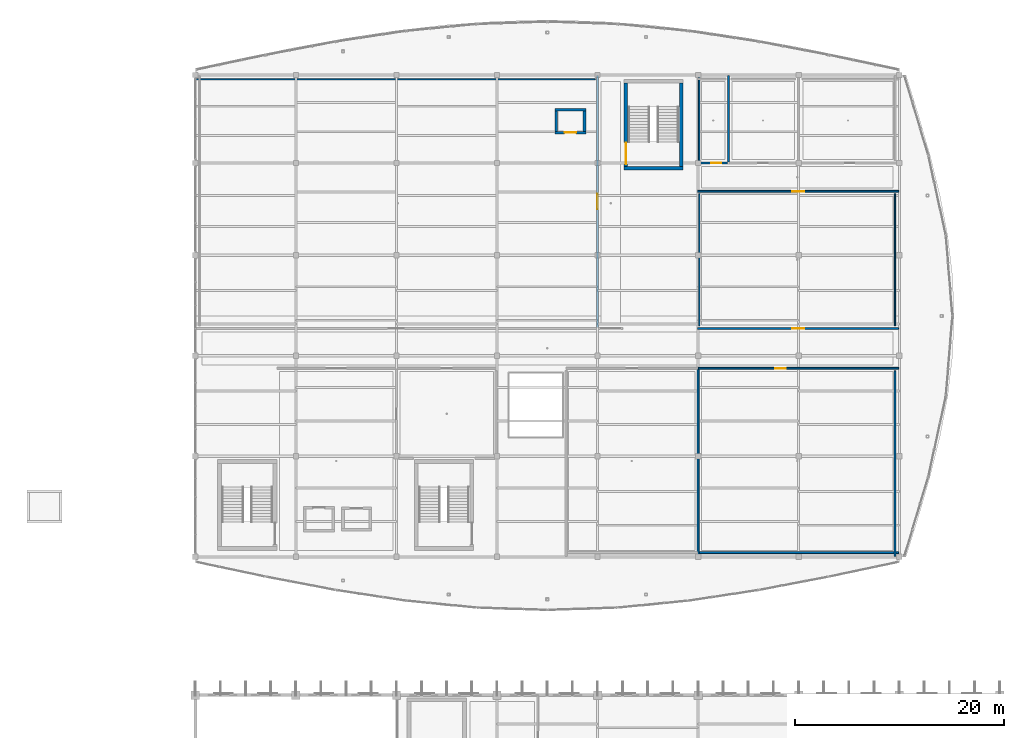
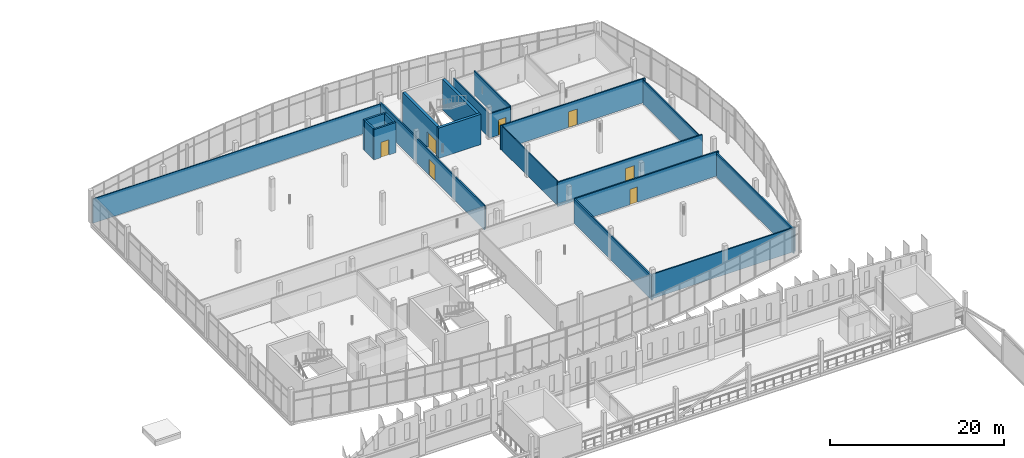
# One storey, part 97 of 114: 20 walls, 7 doors, 7 openings.
"""IFC4 building model written with IfcOpenShell, lengths in metres."""

import ifcopenshell
import ifcopenshell.guid

model = None  # the IFC model being written
_history = None  # IfcOwnerHistory: only IFC2X3 demands one
_inside = {}  # id of a spatial element -> (the spatial element, [elements in it])
_under = {}  # id of a project, library or spatial element -> (it, [spatial elements below it])
_declared = {}  # id of a project -> (the project, [libraries it declares])
_typed = {}  # id of a type object -> (the type object, [elements of that type])
_made_of = {}  # id of a material, layer set ... -> (it, [elements and type objects made of it])


def new_model(schema):
    """Start an empty IFC model of exactly this schema.

    Asked for "IFC4X3", IfcOpenShell would pick the latest addendum, in which some entities
    have other attributes; the version numbers below select the first issue.
    IFC2X3 requires an IfcOwnerHistory on every rooted entity: one is made here for all.
    """
    global model, _history
    if schema == "IFC4X3":
        model = ifcopenshell.file(schema_version=(4, 3, 0, 0))
    else:
        model = ifcopenshell.file(schema=schema)
    _inside.clear()
    _under.clear()
    _declared.clear()
    _typed.clear()
    _made_of.clear()
    _history = None
    if model.schema == "IFC2X3":
        org = make("IfcOrganization", Name="unknown")
        user = make(
            "IfcPersonAndOrganization",
            ThePerson=make("IfcPerson", FamilyName="unknown"),
            TheOrganization=org,
        )
        app = make(
            "IfcApplication",
            ApplicationDeveloper=org,
            Version="unknown",
            ApplicationFullName="unknown",
            ApplicationIdentifier="unknown",
        )
        _history = make(
            "IfcOwnerHistory",
            OwningUser=user,
            OwningApplication=app,
            ChangeAction="ADDED",
            CreationDate=0,
        )
    return model


def make(cls, **values):
    """One entity of the class cls with the attributes given. An attribute that is None is left unset."""
    return model.create_entity(
        cls, **{name: value for name, value in values.items() if value is not None}
    )


def rooted(cls, **values):
    """An entity with a GlobalId (a new one), such as an element, a storey or a relation."""
    return make(cls, GlobalId=ifcopenshell.guid.new(), OwnerHistory=_history, **values)


def si_unit(unit_type, name, prefix=None):
    """IfcSIUnit, for example si_unit("LENGTHUNIT", "METRE", prefix="MILLI")."""
    return make("IfcSIUnit", UnitType=unit_type, Prefix=prefix, Name=name)


def assignment(units):
    """IfcUnitAssignment: the units of a project."""
    return None if units is None else make("IfcUnitAssignment", Units=units)


def point(xyz):
    """IfcCartesianPoint."""
    return None if xyz is None else make("IfcCartesianPoint", Coordinates=xyz)


def direction(xyz):
    """IfcDirection."""
    return None if xyz is None else make("IfcDirection", DirectionRatios=xyz)


def frame(location, z_axis=None, x_axis=None):
    """IfcAxis2Placement3D, a coordinate frame: its origin and axes. An axis left out is left unset."""
    return make(
        "IfcAxis2Placement3D",
        Location=point(location),
        Axis=direction(z_axis),
        RefDirection=direction(x_axis),
    )


def frame_2d(location, x_axis=None):
    """IfcAxis2Placement2D, a coordinate frame in the plane: its origin and x axis."""
    return make(
        "IfcAxis2Placement2D", Location=point(location), RefDirection=direction(x_axis)
    )


def origin():
    """The frame at (0, 0, 0) with its axes left unset."""
    return frame((0.0, 0.0, 0.0))


def place(relative_to, where):
    """IfcLocalPlacement: puts the frame where relative to a parent placement (None: the world)."""
    return make(
        "IfcLocalPlacement", PlacementRelTo=relative_to, RelativePlacement=where
    )


def context(
    kind, dimensions, precision=None, world=None, true_north=None, identifier=None
):
    """IfcGeometricRepresentationContext, for example the 3D "Model" context."""
    return make(
        "IfcGeometricRepresentationContext",
        ContextIdentifier=identifier,
        ContextType=kind,
        CoordinateSpaceDimension=dimensions,
        Precision=precision,
        WorldCoordinateSystem=world,
        TrueNorth=true_north,
    )


def subcontext(parent, identifier, kind, view, scale=None):
    """IfcGeometricRepresentationSubContext, for example "Body" below "Model"."""
    return make(
        "IfcGeometricRepresentationSubContext",
        ContextIdentifier=identifier,
        ContextType=kind,
        ParentContext=parent,
        TargetScale=scale,
        TargetView=view,
    )


def project(units=None, contexts=None):
    """IfcProject with its units and contexts."""
    return rooted(
        "IfcProject",
        Name="project",
        RepresentationContexts=contexts,
        UnitsInContext=assignment(units),
    )


def spatial(cls, under=None, at=None, **own):
    """A site, building, storey or space (cls), placed at a placement, below another one or the project."""
    s = rooted(cls, ObjectPlacement=at, **own)
    if under is not None:
        _under.setdefault(under.id(), (under, []))[1].append(s)
    return s


def profile(cls, at=None, kind="AREA", **sizes):
    """A parametric profile (cls). Its sizes go by their IFC names, for example OverallWidth=200.0."""
    return make(cls, ProfileType=kind, Position=at, **sizes)


def rectangle(**sizes):
    """IfcRectangleProfileDef."""
    return profile("IfcRectangleProfileDef", **sizes)


def extrude(swept, where, along, depth):
    """IfcExtrudedAreaSolid: the profile swept, set in the frame where, extruded along a direction by depth."""
    return make(
        "IfcExtrudedAreaSolid",
        SweptArea=swept,
        Position=where,
        ExtrudedDirection=direction(along),
        Depth=depth,
    )


def shape(context_of_items, identifier, shape_type, items):
    """IfcShapeRepresentation: the items that make up one representation, for example the "Body"."""
    return make(
        "IfcShapeRepresentation",
        ContextOfItems=context_of_items,
        RepresentationIdentifier=identifier,
        RepresentationType=shape_type,
        Items=items,
    )


def material(Name=None, Category=None):
    """IfcMaterial."""
    return make("IfcMaterial", Name=Name, Category=Category)


def layer(
    of_material, thickness, ventilated=None, Name=None, Category=None, Priority=None
):
    """IfcMaterialLayer: one layer of a wall or slab, of a material (None: an air gap)."""
    return make(
        "IfcMaterialLayer",
        Material=of_material,
        LayerThickness=thickness,
        IsVentilated=ventilated,
        Name=Name,
        Category=Category,
        Priority=Priority,
    )


def layer_set(layers, Name=None):
    """IfcMaterialLayerSet."""
    return make("IfcMaterialLayerSet", MaterialLayers=layers, LayerSetName=Name)


def made_of(thing, what):
    """Note that an element or type object is made of a material, layer set ...; save() writes the relation."""
    if what is not None:
        _made_of.setdefault(what.id(), (what, []))[1].append(thing)
    return thing


def type_object(cls, material=None, **own):
    """A type object (cls), such as IfcWallType, which elements share."""
    return made_of(rooted(cls, **own), material)


def element(
    cls,
    number,
    at=None,
    inside=None,
    cuts=None,
    type_object=None,
    material=None,
    context=None,
    identifier="Body",
    shape_type=None,
    held_by="IfcProductDefinitionShape",
    body=None,
    shapes=None,
    **own,
):
    """One element of the class cls, such as IfcWall. Its Tag is "e" and its number.

    at: its placement. inside: the storey or other place that contains it. cuts: it is an
    opening in that element (IfcRelVoidsElement). A single representation is given by context,
    identifier, shape_type and body (its items); several are given by shapes. held_by: the class
    of the entity that holds the representations. save() writes the other relations.
    """
    e = rooted(cls, Tag="e%d" % number, ObjectPlacement=at, **own)
    if body is not None:
        shapes = [shape(context, identifier, shape_type, body)]
    if shapes is not None:
        e.Representation = make(held_by, Representations=shapes)
    if inside is not None:
        _inside.setdefault(inside.id(), (inside, []))[1].append(e)
    if cuts is not None:
        rooted(
            "IfcRelVoidsElement", RelatingBuildingElement=cuts, RelatedOpeningElement=e
        )
    if type_object is not None:
        _typed.setdefault(type_object.id(), (type_object, []))[1].append(e)
    return made_of(e, material)


def fill(opening, filler):
    """IfcRelFillsElement: the door or window that sits in an opening."""
    return rooted(
        "IfcRelFillsElement",
        RelatingOpeningElement=opening,
        RelatedBuildingElement=filler,
    )


def aggregate(whole, parts):
    """IfcRelAggregates: a whole, such as a stair, and the parts it consists of."""
    return rooted("IfcRelAggregates", RelatingObject=whole, RelatedObjects=parts)


def save(model, path):
    """Write the relations noted so far, then the file.

    IfcRelAggregates (storeys below a building ...), IfcRelContainedInSpatialStructure (elements
    in a storey), IfcRelDefinesByType, IfcRelAssociatesMaterial and IfcRelDeclares: one each for
    every whole, place, type object, material and project.
    """
    for whole, parts in _under.values():
        aggregate(whole, parts)
    for where, things in _inside.values():
        rooted(
            "IfcRelContainedInSpatialStructure",
            RelatedElements=things,
            RelatingStructure=where,
        )
    for kind, things in _typed.values():
        rooted("IfcRelDefinesByType", RelatedObjects=things, RelatingType=kind)
    for what, things in _made_of.values():
        rooted("IfcRelAssociatesMaterial", RelatedObjects=things, RelatingMaterial=what)
    for by, libraries in _declared.values():
        rooted("IfcRelDeclares", RelatingContext=by, RelatedDefinitions=libraries)
    model.write(path)


model = new_model("IFC4")

# Units and contexts
model_context = context("Model", 3, precision=1e-05, world=origin(), true_north=direction((0.0, 1.0)))
body_context = subcontext(model_context, "Body", "Model", "MODEL_VIEW")
ifc_project = project(units=[si_unit("LENGTHUNIT", "METRE"), si_unit("AREAUNIT", "SQUARE_METRE"), si_unit("VOLUMEUNIT", "CUBIC_METRE"), si_unit("PLANEANGLEUNIT", "RADIAN"), si_unit("MASSUNIT", "GRAM", prefix="KILO")], contexts=[model_context])

# Site, building, storey
site_placement = place(None, origin())
site = spatial("IfcSite", under=ifc_project, at=site_placement, CompositionType="ELEMENT")
building_placement = place(site_placement, origin())
building = spatial("IfcBuilding", under=site, at=building_placement, Name="Chalmorin Arch Market", CompositionType="ELEMENT")
storey_placement = place(building_placement, frame((0.0, 0.0, 9.60009765625)))
storey = spatial("IfcBuildingStorey", under=building, at=storey_placement, Name="L02", CompositionType="ELEMENT", Elevation=9.60009765625)

# Wall
ifc_material_1 = material(Name="Gypsum Board Partition")
ifc_layer_1 = layer(ifc_material_1, 0.175048828125)
ifc_layer_set_1 = layer_set([ifc_layer_1], Name="Gypsum Board Partition")
wall_type_1 = type_object("IfcWallType", Name="AcousticStudioPartition-175", PredefinedType="PARTITIONING", material=ifc_layer_set_1)
wall_1_placement = place(storey_placement, frame((96.0, 72.050048828125, 0.0), z_axis=(0.0, 0.0, 1.0), x_axis=(0.0, 1.0, 0.0)))
element("IfcWall", 1, at=wall_1_placement, inside=storey, type_object=wall_type_1, Name="ASP-175-552", PredefinedType="PARTITIONING", context=body_context, shape_type="SweptSolid", body=[
    extrude(rectangle(XDim=17.849853515625, YDim=0.175048828125, at=frame_2d((8.9248046875, 0.0))), origin(), (0.0, 0.0, 1.0), 3.39990234375),
])

# Wall, opening, door
wall_2_placement = place(storey_placement, frame((96.030029296875, 90.0, 0.0), z_axis=(0.0, 0.0, 1.0), x_axis=(1.0, 0.0, 0.0)))
wall_2 = element("IfcWall", 2, at=wall_2_placement, inside=storey, type_object=wall_type_1, Name="ASP-175-554", PredefinedType="PARTITIONING", context=body_context, shape_type="SweptSolid", body=[
    extrude(rectangle(XDim=19.119873046875, YDim=0.175048828125, at=frame_2d((9.56005859375, 0.0))), origin(), (0.0, 0.0, 1.0), 3.39990234375),
])
opening_1_placement = place(wall_2_placement, frame((7.320068359375, 0.0, 0.0)))
opening_1 = element("IfcOpeningElement", 3, at=opening_1_placement, cuts=wall_2, Name="Opening ID-185", PredefinedType="OPENING", context=body_context, shape_type="SweptSolid", body=[
    extrude(rectangle(XDim=1.0, YDim=2.14990234375, at=frame_2d((0.5, 1.074951171875))), frame((0.0, 0.097412109375, 0.0), z_axis=(0.0, -1.0, 0.0), x_axis=(1.0, 0.0, 0.0)), (0.0, 0.0, 1.0), 0.195068359375),
])
ifc_material_2 = material(Name="Oak Engineered Timber", Category="wood")
door_type_1 = type_object("IfcDoorType", Name="ClassroomAcousticDoor-1000x2150", OperationType="NOTDEFINED", PredefinedType="DOOR", material=ifc_material_2)
door_1_placement = place(opening_1_placement, origin())
door_1 = element("IfcDoor", 4, at=door_1_placement, inside=storey, type_object=door_type_1, Name="ID-185", OperationType="SINGLE_SWING_LEFT", OverallHeight=2.14990234375, OverallWidth=1.0, PredefinedType="DOOR", context=body_context, shape_type="SweptSolid", body=[
    extrude(rectangle(XDim=1.0, YDim=2.14990234375, at=frame_2d((0.5, 1.074951171875))), frame((0.0, 0.02490234375, 0.0), z_axis=(0.0, -1.0, 0.0), x_axis=(1.0, 0.0, 0.0)), (0.0, 0.0, 1.0), 0.050048828125),
])
fill(opening_1, door_1)

# Walls
wall_3_placement = place(storey_placement, frame((96.090087890625, 72.39990234375, 0.0), z_axis=(0.0, 0.0, 1.0), x_axis=(1.0, 0.0, 0.0)))
element("IfcWall", 5, at=wall_3_placement, inside=storey, type_object=wall_type_1, Name="ASP-175-577", PredefinedType="PARTITIONING", context=body_context, shape_type="SweptSolid", body=[
    extrude(rectangle(XDim=19.059814453125, YDim=0.175048828125, at=frame_2d((9.52978515625, 0.0))), origin(), (0.0, 0.0, 1.0), 3.39990234375),
])
wall_4_placement = place(storey_placement, frame((114.800048828125, 72.050048828125, 0.0), z_axis=(0.0, 0.0, 1.0), x_axis=(0.0, 1.0, 0.0)))
element("IfcWall", 6, at=wall_4_placement, inside=storey, type_object=wall_type_1, Name="ASP-175-578", PredefinedType="PARTITIONING", context=body_context, shape_type="SweptSolid", body=[
    extrude(rectangle(XDim=17.7099609375, YDim=0.175048828125, at=frame_2d((8.85498046875, 0.0))), origin(), (0.0, 0.0, 1.0), 3.39990234375),
])
ifc_material_3 = material(Name="Concrete C40/50", Category="concrete")
ifc_layer_2 = layer(ifc_material_3, 0.35009765625)
ifc_layer_set_2 = layer_set([ifc_layer_2], Name="Concrete C40/50")
wall_type_2 = type_object("IfcWallType", Name="CoreShearWall-350", PredefinedType="SHEAR", material=ifc_layer_set_2)
wall_5_placement = place(storey_placement, frame((94.574951171875, 109.10009765625, 0.0), z_axis=(0.0, 0.0, 1.0), x_axis=(-1.0, 0.0, 0.0)))
element("IfcWall", 7, at=wall_5_placement, inside=storey, type_object=wall_type_2, Name="CSW-350-097", PredefinedType="SHEAR", context=body_context, shape_type="SweptSolid", body=[
    extrude(rectangle(XDim=5.64990234375, YDim=0.35009765625, at=frame_2d((2.824951171875, 0.0))), origin(), (0.0, 0.0, 1.0), 4.25),
])

# Wall, opening, door
wall_6_placement = place(storey_placement, frame((89.10009765625, 109.27490234375, 0.0), z_axis=(0.0, 0.0, 1.0), x_axis=(0.0, 1.0, 0.0)))
wall_6 = element("IfcWall", 8, at=wall_6_placement, inside=storey, type_object=wall_type_2, Name="CSW-350-099", PredefinedType="SHEAR", context=body_context, shape_type="SweptSolid", body=[
    extrude(rectangle(XDim=7.9501953125, YDim=0.35009765625, at=frame_2d((3.97509765625, 0.0))), origin(), (0.0, 0.0, 1.0), 4.25),
])
opening_2_placement = place(wall_6_placement, frame((0.219970703125, 0.0, 0.0)))
opening_2 = element("IfcOpeningElement", 9, at=opening_2_placement, cuts=wall_6, Name="Opening FD-SC6-L02", PredefinedType="OPENING", context=body_context, shape_type="SweptSolid", body=[
    extrude(rectangle(XDim=2.050048828125, YDim=2.14990234375, at=frame_2d((1.02490234375, 1.074951171875))), frame((0.0, 0.18505859375, 0.0), z_axis=(0.0, -1.0, 0.0), x_axis=(1.0, 0.0, 0.0)), (0.0, 0.0, 1.0), 0.3701171875),
])
ifc_material_4 = material(Name="Galvanised Steel", Category="steel")
door_type_2 = type_object("IfcDoorType", Name="DoubleFireExitDoor-2050x2150", OperationType="DOUBLE_DOOR_SINGLE_SWING", PredefinedType="DOOR", material=ifc_material_4)
door_2_placement = place(opening_2_placement, origin())
door_2 = element("IfcDoor", 10, at=door_2_placement, inside=storey, type_object=door_type_2, Name="FD-SC6-L02", OperationType="DOUBLE_DOOR_SINGLE_SWING", OverallHeight=2.14990234375, OverallWidth=2.050048828125, PredefinedType="DOOR", context=body_context, shape_type="SweptSolid", body=[
    extrude(rectangle(XDim=2.050048828125, YDim=2.14990234375, at=frame_2d((1.02490234375, 1.074951171875))), frame((0.0, 0.02490234375, 0.0), z_axis=(0.0, -1.0, 0.0), x_axis=(1.0, 0.0, 0.0)), (0.0, 0.0, 1.0), 0.050048828125),
])
fill(opening_2, door_2)

# Wall
wall_7_placement = place(storey_placement, frame((94.39990234375, 117.22509765625, 0.0), z_axis=(0.0, 0.0, 1.0), x_axis=(0.0, -1.0, 0.0)))
element("IfcWall", 11, at=wall_7_placement, inside=storey, type_object=wall_type_2, Name="CSW-350-100", PredefinedType="SHEAR", context=body_context, shape_type="SweptSolid", body=[
    extrude(rectangle(XDim=7.9501953125, YDim=0.35009765625, at=frame_2d((3.97509765625, 0.0))), origin(), (0.0, 0.0, 1.0), 4.25),
])

# Wall, opening, door
ifc_layer_3 = layer(ifc_material_1, 0.159912109375)
ifc_layer_set_3 = layer_set([ifc_layer_3], Name="Gypsum Board Partition")
wall_type_3 = type_object("IfcWallType", Name="CorridorRatedPartition-160", PredefinedType="PARTITIONING", material=ifc_layer_set_3)
wall_8_placement = place(storey_placement, frame((95.949951171875, 93.800048828125, 0.0), z_axis=(0.0, 0.0, 1.0), x_axis=(1.0, 0.0, 0.0)))
wall_8 = element("IfcWall", 12, at=wall_8_placement, inside=storey, type_object=wall_type_3, Name="CRP-160-557", PredefinedType="PARTITIONING", context=body_context, shape_type="SweptSolid", body=[
    extrude(rectangle(XDim=19.199951171875, YDim=0.159912109375, at=frame_2d((9.60009765625, 0.0))), origin(), (0.0, 0.0, 1.0), 3.39990234375),
])
opening_3_placement = place(wall_8_placement, frame((9.02490234375, 0.0, 0.0)))
opening_3 = element("IfcOpeningElement", 13, at=opening_3_placement, cuts=wall_8, Name="Opening ID-188", PredefinedType="OPENING", context=body_context, shape_type="SweptSolid", body=[
    extrude(rectangle(XDim=1.14990234375, YDim=2.199951171875, at=frame_2d((0.574951171875, 1.10009765625))), frame((0.0, 0.08984375, 0.0), z_axis=(0.0, -1.0, 0.0), x_axis=(1.0, 0.0, 0.0)), (0.0, 0.0, 1.0), 0.179931640625),
])
door_type_3 = type_object("IfcDoorType", Name="WorkshopHeavyDoor-1150x2200", OperationType="NOTDEFINED", PredefinedType="DOOR", material=ifc_material_4)
door_3_placement = place(opening_3_placement, origin())
door_3 = element("IfcDoor", 14, at=door_3_placement, inside=storey, type_object=door_type_3, Name="ID-188", OperationType="SINGLE_SWING_RIGHT", OverallHeight=2.199951171875, OverallWidth=1.14990234375, PredefinedType="DOOR", context=body_context, shape_type="SweptSolid", body=[
    extrude(rectangle(XDim=1.14990234375, YDim=2.199951171875, at=frame_2d((0.574951171875, 1.10009765625))), frame((0.0, 0.02490234375, 0.0), z_axis=(0.0, -1.0, 0.0), x_axis=(1.0, 0.0, 0.0)), (0.0, 0.0, 1.0), 0.050048828125),
])
fill(opening_3, door_3)

wall_9_placement = place(storey_placement, frame((86.39990234375, 93.89990234375, 0.0), z_axis=(0.0, 0.0, 1.0), x_axis=(0.0, 1.0, 0.0)))
wall_9 = element("IfcWall", 15, at=wall_9_placement, inside=storey, type_object=wall_type_3, Name="CRP-160-558", PredefinedType="PARTITIONING", context=body_context, shape_type="SweptSolid", body=[
    extrude(rectangle(XDim=24.050048828125, YDim=0.159912109375, at=frame_2d((12.02490234375, 0.0))), origin(), (0.0, 0.0, 1.0), 3.39990234375),
])
opening_4_placement = place(wall_9_placement, frame((11.300048828125, 0.0, 0.0)))
opening_4 = element("IfcOpeningElement", 16, at=opening_4_placement, cuts=wall_9, Name="Opening ID-189", PredefinedType="OPENING", context=body_context, shape_type="SweptSolid", body=[
    extrude(rectangle(XDim=1.449951171875, YDim=2.199951171875, at=frame_2d((0.72509765625, 1.10009765625))), frame((0.0, 0.08984375, 0.0), z_axis=(0.0, -1.0, 0.0), x_axis=(1.0, 0.0, 0.0)), (0.0, 0.0, 1.0), 0.179931640625),
])
door_type_4 = type_object("IfcDoorType", Name="LibraryDoubleDoor-1450x2200", OperationType="DOUBLE_DOOR_SINGLE_SWING", PredefinedType="DOOR", material=ifc_material_2)
door_4_placement = place(opening_4_placement, origin())
door_4 = element("IfcDoor", 17, at=door_4_placement, inside=storey, type_object=door_type_4, Name="ID-189", OperationType="DOUBLE_DOOR_SINGLE_SWING", OverallHeight=2.199951171875, OverallWidth=1.449951171875, PredefinedType="DOOR", context=body_context, shape_type="SweptSolid", body=[
    extrude(rectangle(XDim=1.449951171875, YDim=2.199951171875, at=frame_2d((0.72509765625, 1.10009765625))), frame((0.0, 0.02490234375, 0.0), z_axis=(0.0, -1.0, 0.0), x_axis=(1.0, 0.0, 0.0)), (0.0, 0.0, 1.0), 0.050048828125),
])
fill(opening_4, door_4)

wall_10_placement = place(storey_placement, frame((95.949951171875, 106.89990234375, 0.0), z_axis=(0.0, 0.0, 1.0), x_axis=(1.0, 0.0, 0.0)))
wall_10 = element("IfcWall", 18, at=wall_10_placement, inside=storey, type_object=wall_type_3, Name="CRP-160-559", PredefinedType="PARTITIONING", context=body_context, shape_type="SweptSolid", body=[
    extrude(rectangle(XDim=19.199951171875, YDim=0.159912109375, at=frame_2d((9.60009765625, 0.0))), origin(), (0.0, 0.0, 1.0), 3.39990234375),
])
opening_5_placement = place(wall_10_placement, frame((9.02490234375, 0.0, 0.0)))
opening_5 = element("IfcOpeningElement", 19, at=opening_5_placement, cuts=wall_10, Name="Opening ID-190", PredefinedType="OPENING", context=body_context, shape_type="SweptSolid", body=[
    extrude(rectangle(XDim=1.14990234375, YDim=2.199951171875, at=frame_2d((0.574951171875, 1.10009765625))), frame((0.0, 0.08984375, 0.0), z_axis=(0.0, -1.0, 0.0), x_axis=(1.0, 0.0, 0.0)), (0.0, 0.0, 1.0), 0.179931640625),
])
door_5_placement = place(opening_5_placement, origin())
door_5 = element("IfcDoor", 20, at=door_5_placement, inside=storey, type_object=door_type_3, Name="ID-190", OperationType="SINGLE_SWING_RIGHT", OverallHeight=2.199951171875, OverallWidth=1.14990234375, PredefinedType="DOOR", context=body_context, shape_type="SweptSolid", body=[
    extrude(rectangle(XDim=1.14990234375, YDim=2.199951171875, at=frame_2d((0.574951171875, 1.10009765625))), frame((0.0, 0.02490234375, 0.0), z_axis=(0.0, -1.0, 0.0), x_axis=(1.0, 0.0, 0.0)), (0.0, 0.0, 1.0), 0.050048828125),
])
fill(opening_5, door_5)

# Walls
ifc_material_5 = material(Name="Powder-coated Aluminium Panel", Category="aluminium")
ifc_layer_4 = layer(ifc_material_5, 0.125)
ifc_layer_set_4 = layer_set([ifc_layer_4], Name="Powder-coated Aluminium Panel")
wall_type_4 = type_object("IfcWallType", Name="DemountableStudStallPartition-125", PredefinedType="PARTITIONING", material=ifc_layer_set_4)
wall_11_placement = place(storey_placement, frame((48.050048828125, 117.60009765625, 0.0), z_axis=(0.0, 0.0, 1.0), x_axis=(1.0, 0.0, 0.0)))
element("IfcWall", 21, at=wall_11_placement, inside=storey, type_object=wall_type_4, Name="DSP-125-579", PredefinedType="PARTITIONING", context=body_context, shape_type="SweptSolid", body=[
    extrude(rectangle(XDim=38.10986328125, YDim=0.125, at=frame_2d((19.054931640625, 0.0))), origin(), (0.0, 0.0, 1.0), 3.39990234375),
])
for number, where, z_axis, x_axis, name in (
    (22, (96.10009765625, 94.0400390625, 0.0), (0.0, 0.0, 1.0), (0.0, 1.0, 0.0), "DSP-125-581"),
    (23, (114.800048828125, 94.0400390625, 0.0), (0.0, 0.0, 1.0), (0.0, 1.0, 0.0), "DSP-125-582"),
):
    element("IfcWall", number, at=place(storey_placement, frame(where, z_axis=z_axis, x_axis=x_axis)), inside=storey, type_object=wall_type_4, Name=name, PredefinedType="PARTITIONING", context=body_context, shape_type="SweptSolid", body=[
        extrude(rectangle(XDim=12.619873046875, YDim=0.125, at=frame_2d((6.31005859375, 0.0))), origin(), (0.0, 0.0, 1.0), 3.39990234375),
    ])

# Wall, opening, door
ifc_material_6 = material(Name="Concrete C35/45", Category="concrete")
ifc_layer_5 = layer(ifc_material_6, 0.25)
ifc_layer_set_5 = layer_set([ifc_layer_5], Name="Concrete C35/45")
wall_type_5 = type_object("IfcWallType", Name="ShaftEnclosureWall-250", PredefinedType="SOLIDWALL", material=ifc_layer_set_5)
wall_12_placement = place(storey_placement, frame((85.27490234375, 112.5, 0.0), z_axis=(0.0, 0.0, 1.0), x_axis=(-1.0, 0.0, 0.0)))
wall_12 = element("IfcWall", 24, at=wall_12_placement, inside=storey, type_object=wall_type_5, Name="SEW-250-206", PredefinedType="SOLIDWALL", context=body_context, shape_type="SweptSolid", body=[
    extrude(rectangle(XDim=2.949951171875, YDim=0.25, at=frame_2d((1.47509765625, 0.0))), origin(), (0.0, 0.0, 1.0), 4.25),
])
opening_6_placement = place(wall_12_placement, frame((0.925048828125, 0.0, 0.0)))
opening_6 = element("IfcOpeningElement", 25, at=opening_6_placement, cuts=wall_12, Name="Opening LD-LF-FF2-L02", PredefinedType="OPENING", context=body_context, shape_type="SweptSolid", body=[
    extrude(rectangle(XDim=1.10009765625, YDim=2.14990234375, at=frame_2d((0.550048828125, 1.074951171875))), frame((0.0, 0.135009765625, 0.0), z_axis=(0.0, -1.0, 0.0), x_axis=(1.0, 0.0, 0.0)), (0.0, 0.0, 1.0), 0.27001953125),
])
ifc_material_7 = material(Name="Stainless Steel 316", Category="steel")
door_type_5 = type_object("IfcDoorType", Name="LiftLandingSlidingDoor-1100x2150", OperationType="DOUBLE_DOOR_SLIDING", PredefinedType="DOOR", material=ifc_material_7)
door_6_placement = place(opening_6_placement, origin())
door_6 = element("IfcDoor", 26, at=door_6_placement, inside=storey, type_object=door_type_5, Name="LD-LF-FF2-L02", OperationType="DOUBLE_DOOR_SLIDING", OverallHeight=2.14990234375, OverallWidth=1.10009765625, PredefinedType="DOOR", context=body_context, shape_type="SweptSolid", body=[
    extrude(rectangle(XDim=1.10009765625, YDim=2.14990234375, at=frame_2d((0.550048828125, 1.074951171875))), frame((0.0, 0.02490234375, 0.0), z_axis=(0.0, -1.0, 0.0), x_axis=(1.0, 0.0, 0.0)), (0.0, 0.0, 1.0), 0.050048828125),
])
fill(opening_6, door_6)

# Walls
wall_13_placement = place(storey_placement, frame((82.324951171875, 114.699951171875, 0.0), z_axis=(0.0, 0.0, 1.0), x_axis=(1.0, 0.0, 0.0)))
element("IfcWall", 27, at=wall_13_placement, inside=storey, type_object=wall_type_5, Name="SEW-250-207", PredefinedType="SOLIDWALL", context=body_context, shape_type="SweptSolid", body=[
    extrude(rectangle(XDim=2.949951171875, YDim=0.25, at=frame_2d((1.47509765625, 0.0))), origin(), (0.0, 0.0, 1.0), 4.25),
])
for number, where, z_axis, x_axis, name in (
    (28, (82.449951171875, 112.625, 0.0), (0.0, 0.0, 1.0), (0.0, 1.0, 0.0), "SEW-250-208"),
    (29, (85.14990234375, 114.574951171875, 0.0), (0.0, 0.0, 1.0), (0.0, -1.0, 0.0), "SEW-250-209"),
):
    element("IfcWall", number, at=place(storey_placement, frame(where, z_axis=z_axis, x_axis=x_axis)), inside=storey, type_object=wall_type_5, Name=name, PredefinedType="SOLIDWALL", context=body_context, shape_type="SweptSolid", body=[
        extrude(rectangle(XDim=1.949951171875, YDim=0.25, at=frame_2d((0.97509765625, 0.0))), origin(), (0.0, 0.0, 1.0), 4.25),
    ])

# Wall, opening, door
ifc_material_8 = material(Name="Concrete C30/37", Category="concrete")
ifc_layer_6 = layer(ifc_material_8, 0.14990234375)
ifc_layer_set_6 = layer_set([ifc_layer_6], Name="Concrete C30/37")
wall_type_6 = type_object("IfcWallType", Name="WetAreaTilePartition-150", PredefinedType="PARTITIONING", material=ifc_layer_set_6)
wall_14_placement = place(storey_placement, frame((95.949951171875, 109.60009765625, 0.0), z_axis=(0.0, 0.0, 1.0), x_axis=(1.0, 0.0, 0.0)))
wall_14 = element("IfcWall", 30, at=wall_14_placement, inside=storey, type_object=wall_type_6, Name="WTP-150-560", PredefinedType="PARTITIONING", context=body_context, shape_type="SweptSolid", body=[
    extrude(rectangle(XDim=2.85009765625, YDim=0.14990234375, at=frame_2d((1.425048828125, 0.0))), origin(), (0.0, 0.0, 1.0), 3.39990234375),
])
opening_7_placement = place(wall_14_placement, frame((1.303955078125, 0.0, 0.0)))
opening_7 = element("IfcOpeningElement", 31, at=opening_7_placement, cuts=wall_14, Name="Opening ID-191", PredefinedType="OPENING", context=body_context, shape_type="SweptSolid", body=[
    extrude(rectangle(XDim=0.949951171875, YDim=2.14990234375, at=frame_2d((0.47509765625, 1.074951171875))), frame((0.0, 0.0849609375, 0.0), z_axis=(0.0, -1.0, 0.0), x_axis=(1.0, 0.0, 0.0)), (0.0, 0.0, 1.0), 0.169921875),
])
door_type_6 = type_object("IfcDoorType", Name="AccessibleWCDoor-950x2150", OperationType="NOTDEFINED", PredefinedType="DOOR", material=ifc_material_2)
door_7_placement = place(opening_7_placement, origin())
door_7 = element("IfcDoor", 32, at=door_7_placement, inside=storey, type_object=door_type_6, Name="ID-191", OperationType="SINGLE_SWING_LEFT", OverallHeight=2.14990234375, OverallWidth=0.949951171875, PredefinedType="DOOR", context=body_context, shape_type="SweptSolid", body=[
    extrude(rectangle(XDim=0.949951171875, YDim=2.14990234375, at=frame_2d((0.47509765625, 1.074951171875))), frame((0.0, 0.02490234375, 0.0), z_axis=(0.0, -1.0, 0.0), x_axis=(1.0, 0.0, 0.0)), (0.0, 0.0, 1.0), 0.050048828125),
])
fill(opening_7, door_7)

# Walls
wall_15_placement = place(storey_placement, frame((98.89990234375, 109.699951171875, 0.0), z_axis=(0.0, 0.0, 1.0), x_axis=(0.0, 1.0, 0.0)))
element("IfcWall", 33, at=wall_15_placement, inside=storey, type_object=wall_type_6, Name="WTP-150-563", PredefinedType="PARTITIONING", context=body_context, shape_type="SweptSolid", body=[
    extrude(rectangle(XDim=8.25, YDim=0.14990234375, at=frame_2d((4.125, 0.0))), origin(), (0.0, 0.0, 1.0), 3.39990234375),
])
wall_16_placement = place(storey_placement, frame((96.10009765625, 109.840087890625, 0.0), z_axis=(0.0, 0.0, 1.0), x_axis=(0.0, 1.0, 0.0)))
element("IfcWall", 34, at=wall_16_placement, inside=storey, type_object=wall_type_6, Name="WTP-150-584", PredefinedType="PARTITIONING", context=body_context, shape_type="SweptSolid", body=[
    extrude(rectangle(XDim=8.10986328125, YDim=0.14990234375, at=frame_2d((4.054931640625, 0.0))), origin(), (0.0, 0.0, 1.0), 3.39990234375),
])

save(model, "model.ifc")
